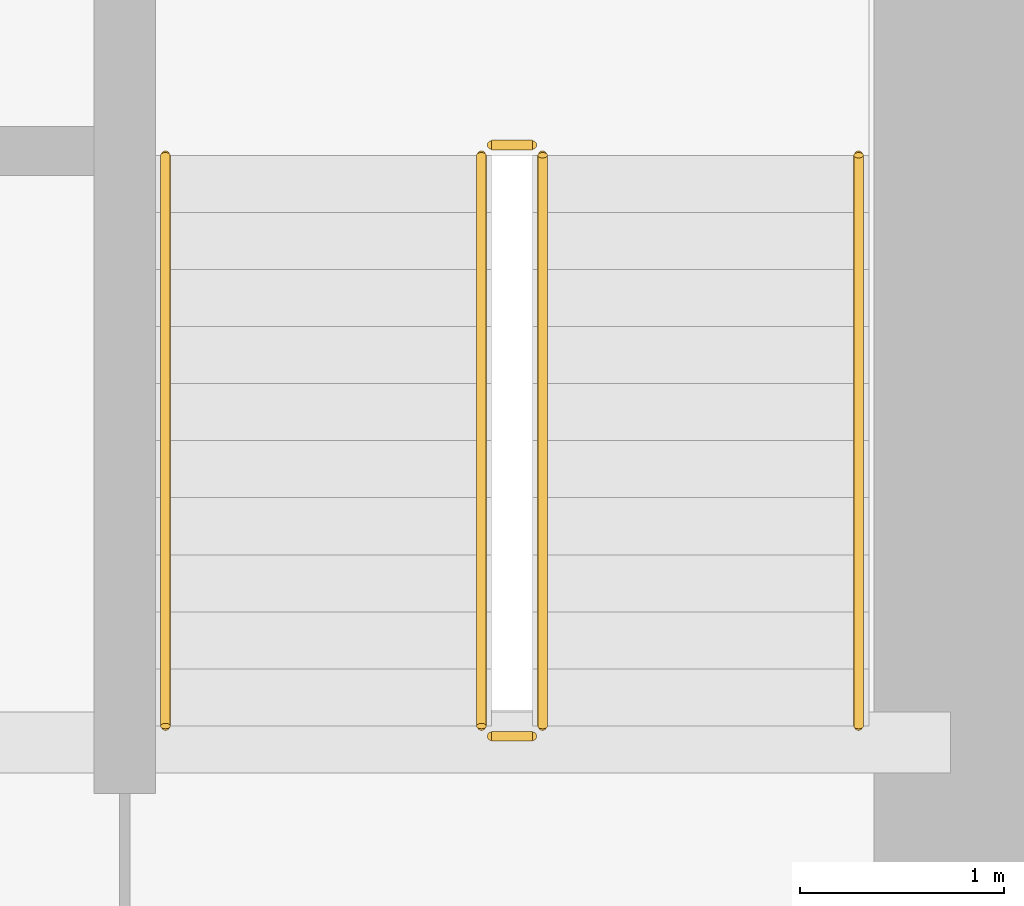
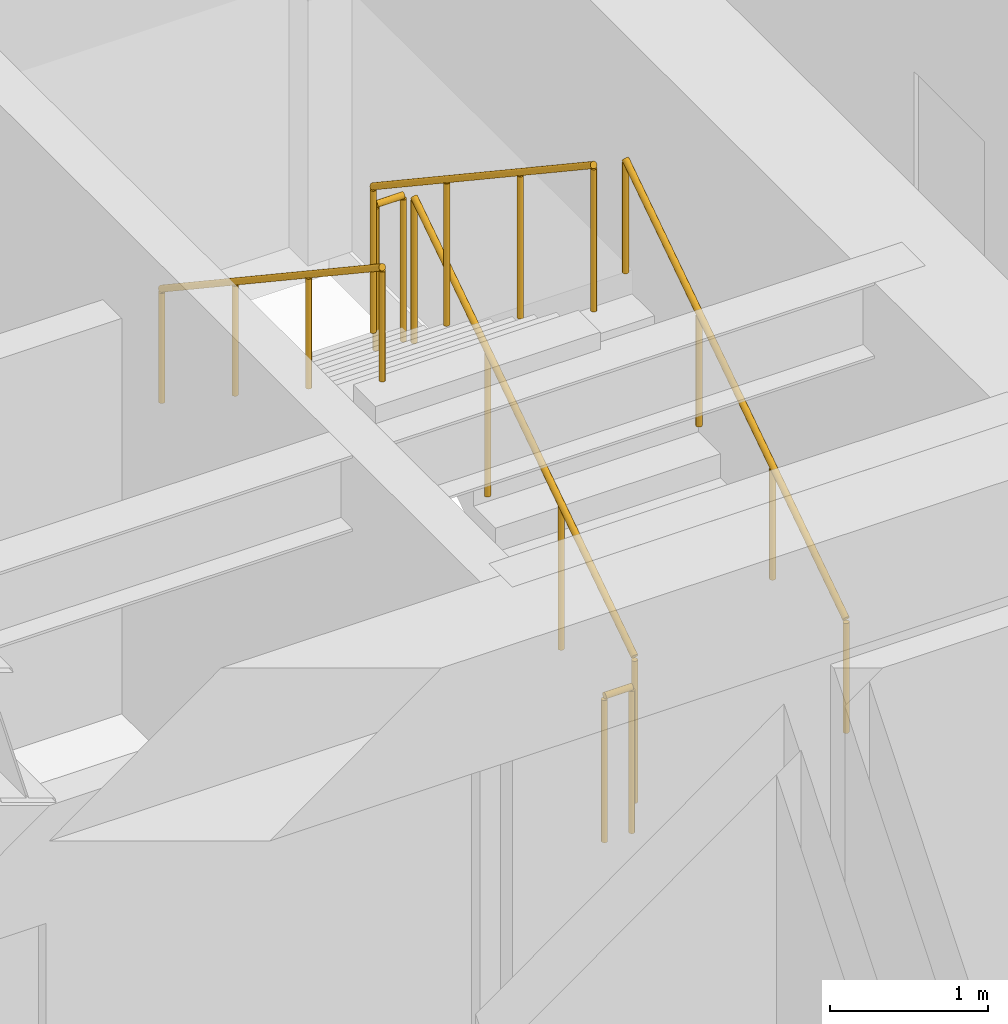
# One storey, part 36 of 36: 6 railings.
"""IFC4 building model written with IfcOpenShell, lengths in metres."""

from ifc_helpers import new_model, si_unit, direction, frame, origin, origin_2d, place, context, subcontext, project, spatial, circle, extrude, source, transform, mapped, material, type_object, type_shapes, element, save


model = new_model("IFC4")

# Units and contexts
model_context = context("Model", 3, precision=1e-05, world=origin(), true_north=direction((0.0, 1.0)))
body_context = subcontext(model_context, "Body", "Model", "MODEL_VIEW")
ifc_project = project(units=[si_unit("LENGTHUNIT", "METRE"), si_unit("AREAUNIT", "SQUARE_METRE"), si_unit("VOLUMEUNIT", "CUBIC_METRE"), si_unit("PLANEANGLEUNIT", "RADIAN"), si_unit("MASSUNIT", "GRAM", prefix="KILO")], contexts=[model_context])

# Site, building, storey
site_placement = place(None, origin())
site = spatial("IfcSite", under=ifc_project, at=site_placement, CompositionType="ELEMENT")
building_placement = place(site_placement, origin())
building = spatial("IfcBuilding", under=site, at=building_placement, Name="Haelvirn Gate Laboratories", CompositionType="ELEMENT")
storey_placement = place(building_placement, frame((0.0, 0.0, 25.199951171875)))
storey = spatial("IfcBuildingStorey", under=building, at=storey_placement, Name="L06", CompositionType="ELEMENT", Elevation=25.199951171875)

# Railings
ifc_material_1 = material(Name="Galvanised steel SM355 & stainless top rail", Category="steel")
railing_type_1 = type_object("IfcRailingType", Name="RL-GUARD-1150", PredefinedType="GUARDRAIL", material=ifc_material_1)
shared_shape_1 = source(origin(), body_context, "Body", "SweptSolid", [
    extrude(circle(Radius=0.02392578125, at=origin_2d()), frame((0.0, 0.0, 1.1259765625), z_axis=(0.0, 0.832485552168, 0.554046753832), x_axis=(-1.0, 0.0, 0.0)), (0.0, 0.0, 1.0), 3.363525390625),
    extrude(circle(Radius=0.02099609375, at=origin_2d()), origin(), (0.0, 0.0, 1.0), 1.101806640625),
    extrude(circle(Radius=0.02099609375, at=origin_2d()), frame((0.0, 0.933349609375, 0.62109375)), (0.0, 0.0, 1.0), 1.101806640625),
    extrude(circle(Radius=0.02099609375, at=origin_2d()), frame((0.0, 1.86669921875, 1.242431640625)), (0.0, 0.0, 1.0), 1.101806640625),
    extrude(circle(Radius=0.02099609375, at=origin_2d()), frame((0.0, 2.800048828125, 1.863525390625)), (0.0, 0.0, 1.0), 1.101806640625),
])
railing_1_placement = place(storey_placement, frame((65.39990234375, 26.699951171875, 0.1865234375)))
element("IfcRailing", 1, at=railing_1_placement, inside=storey, type_object=railing_type_1, Name="L06 ST2 stair guard 1", PredefinedType="GUARDRAIL", context=body_context, shape_type="MappedRepresentation", body=[
    mapped(shared_shape_1, transform((0.0, 0.0, 0.0), scale=1.0)),
])
shared_shape_2 = source(origin(), body_context, "Body", "SweptSolid", [
    extrude(circle(Radius=0.02392578125, at=origin_2d()), frame((0.0, 0.0, 1.1259765625), z_axis=(0.0, -0.832452072856, 0.554097055034), x_axis=(1.0, 0.0, 0.0)), (0.0, 0.0, 1.0), 3.363525390625),
    extrude(circle(Radius=0.02099609375, at=origin_2d()), origin(), (0.0, 0.0, 1.0), 1.101806640625),
    extrude(circle(Radius=0.02099609375, at=origin_2d()), frame((0.0, -0.933349609375, 0.621337890625)), (0.0, 0.0, 1.0), 1.101806640625),
    extrude(circle(Radius=0.02099609375, at=origin_2d()), frame((0.0, -1.86669921875, 1.242431640625)), (0.0, 0.0, 1.0), 1.101806640625),
    extrude(circle(Radius=0.02099609375, at=origin_2d()), frame((0.0, -2.800048828125, 1.86376953125)), (0.0, 0.0, 1.0), 1.101806640625),
])
railing_2_placement = place(storey_placement, frame((65.10009765625, 29.5, 2.236328125)))
element("IfcRailing", 2, at=railing_2_placement, inside=storey, type_object=railing_type_1, Name="L06 ST2 stair guard 3", PredefinedType="GUARDRAIL", context=body_context, shape_type="MappedRepresentation", body=[
    mapped(shared_shape_2, transform((0.0, 0.0, 0.0), scale=1.0)),
])
ifc_material_2 = material(Name="Brushed stainless steel 316L", Category="steel")
railing_type_2 = type_object("IfcRailingType", Name="RL-HAND-920", PredefinedType="HANDRAIL", material=ifc_material_2)
shared_shape_3 = source(origin(), body_context, "Body", "SweptSolid", [
    extrude(circle(Radius=0.02392578125, at=origin_2d()), frame((0.0, 0.0, 0.8759765625), z_axis=(0.0, 0.832485552168, 0.554046753832), x_axis=(-1.0, 0.0, 0.0)), (0.0, 0.0, 1.0), 3.363525390625),
    extrude(circle(Radius=0.02099609375, at=origin_2d()), origin(), (0.0, 0.0, 1.0), 0.851806640625),
    extrude(circle(Radius=0.02099609375, at=origin_2d()), frame((0.0, 0.933349609375, 0.62109375)), (0.0, 0.0, 1.0), 0.851806640625),
    extrude(circle(Radius=0.02099609375, at=origin_2d()), frame((0.0, 1.86669921875, 1.242431640625)), (0.0, 0.0, 1.0), 0.851806640625),
    extrude(circle(Radius=0.02099609375, at=origin_2d()), frame((0.0, 2.800048828125, 1.863525390625)), (0.0, 0.0, 1.0), 0.851806640625),
])
railing_3_placement = place(storey_placement, frame((66.949951171875, 26.699951171875, 0.1865234375)))
element("IfcRailing", 3, at=railing_3_placement, inside=storey, type_object=railing_type_2, Name="L06 ST2 stair handrail 1", PredefinedType="HANDRAIL", context=body_context, shape_type="MappedRepresentation", body=[
    mapped(shared_shape_3, transform((0.0, 0.0, 0.0), scale=1.0)),
])
shared_shape_4 = source(origin(), body_context, "Body", "SweptSolid", [
    extrude(circle(Radius=0.02392578125, at=origin_2d()), frame((0.0, 0.0, 0.8759765625), z_axis=(0.0, -0.832452072856, 0.554097055034), x_axis=(1.0, 0.0, 0.0)), (0.0, 0.0, 1.0), 3.363525390625),
    extrude(circle(Radius=0.02099609375, at=origin_2d()), origin(), (0.0, 0.0, 1.0), 0.851806640625),
    extrude(circle(Radius=0.02099609375, at=origin_2d()), frame((0.0, -0.933349609375, 0.621337890625)), (0.0, 0.0, 1.0), 0.851806640625),
    extrude(circle(Radius=0.02099609375, at=origin_2d()), frame((0.0, -1.86669921875, 1.242431640625)), (0.0, 0.0, 1.0), 0.851806640625),
    extrude(circle(Radius=0.02099609375, at=origin_2d()), frame((0.0, -2.800048828125, 1.86376953125)), (0.0, 0.0, 1.0), 0.851806640625),
])
type_shapes(railing_type_2, [shared_shape_3, shared_shape_4])
railing_4_placement = place(storey_placement, frame((63.550048828125, 29.5, 2.236328125)))
element("IfcRailing", 4, at=railing_4_placement, inside=storey, type_object=railing_type_2, Name="L06 ST2 stair handrail 2", PredefinedType="HANDRAIL", context=body_context, shape_type="MappedRepresentation", body=[
    mapped(shared_shape_4, transform((0.0, 0.0, 0.0), scale=1.0)),
])
shared_shape_5 = source(origin(), body_context, "Body", "SweptSolid", [
    extrude(circle(Radius=0.02392578125, at=origin_2d()), frame((0.0, 0.0, 1.1259765625), z_axis=(-1.0, 0.0, 0.0), x_axis=(0.0, -1.0, 0.0)), (0.0, 0.0, 1.0), 0.2001953125),
    extrude(circle(Radius=0.02099609375, at=origin_2d()), origin(), (0.0, 0.0, 1.0), 1.101806640625),
    extrude(circle(Radius=0.02099609375, at=origin_2d()), frame((-0.2001953125, 0.0, 0.0)), (0.0, 0.0, 1.0), 1.101806640625),
])
type_shapes(railing_type_1, [shared_shape_1, shared_shape_2, shared_shape_5])
for number, where, name in (
    (5, (65.35009765625, 29.550048828125, 2.050048828125), "L06 ST2 stair guard 2"),
    (6, (65.35009765625, 26.64990234375, 0.0), "L06 ST2 stair guard 4"),
):
    element("IfcRailing", number, at=place(storey_placement, frame(where)), inside=storey, type_object=railing_type_1, Name=name, PredefinedType="GUARDRAIL", context=body_context, shape_type="MappedRepresentation", body=[
        mapped(shared_shape_5, transform((0.0, 0.0, 0.0), scale=1.0)),
    ])

save(model, "model.ifc")
